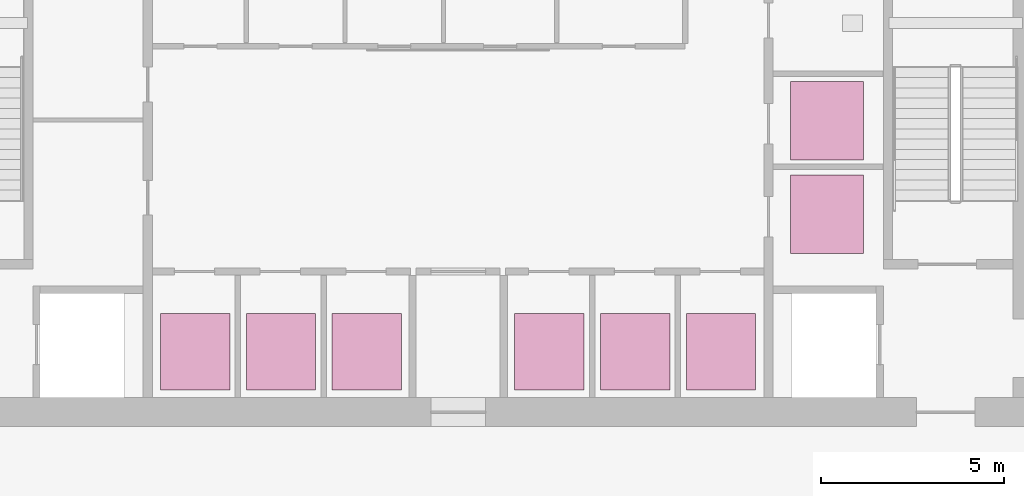
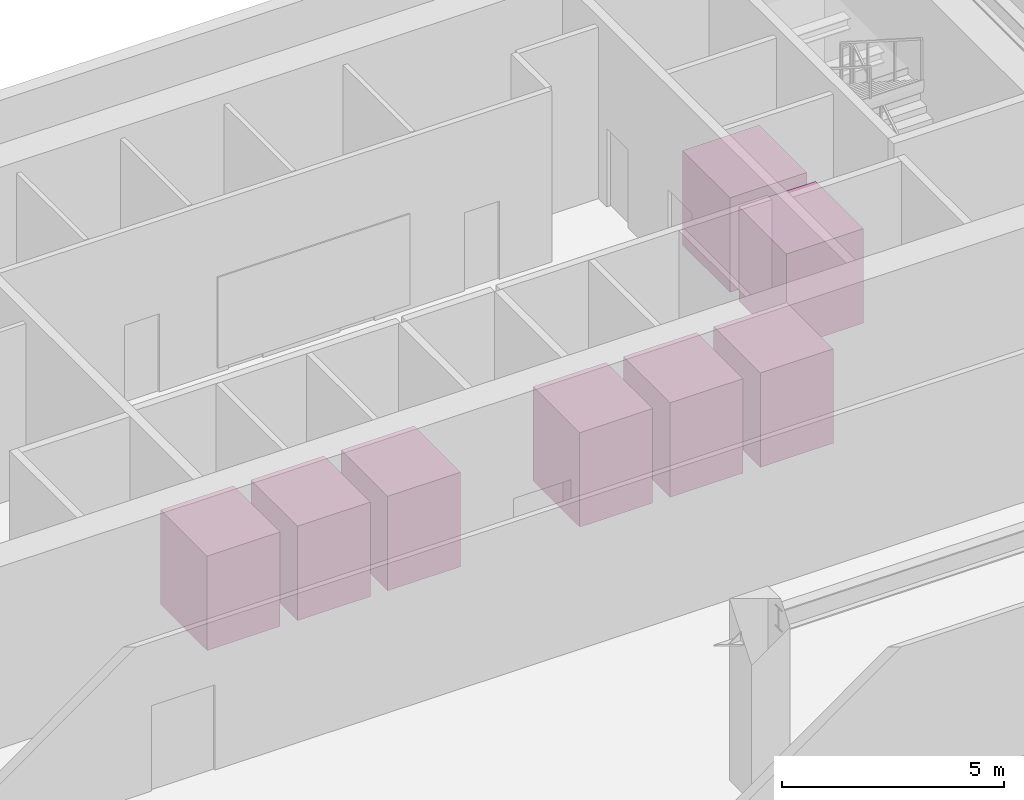
# One storey, part 18 of 18: 8 transport elements.
"""IFC4 building model written with IfcOpenShell, lengths in metres."""

from ifc_helpers import new_model, si_unit, direction, frame, origin, origin_2d, place, context, subcontext, project, spatial, rectangle, extrude, source, transform, mapped, material, type_object, element, save


model = new_model("IFC4")

# Units and contexts
model_context = context("Model", 3, precision=1e-05, world=origin(), true_north=direction((0.0, 1.0)))
body_context = subcontext(model_context, "Body", "Model", "MODEL_VIEW")
ifc_project = project(units=[si_unit("LENGTHUNIT", "METRE"), si_unit("AREAUNIT", "SQUARE_METRE"), si_unit("VOLUMEUNIT", "CUBIC_METRE"), si_unit("PLANEANGLEUNIT", "RADIAN"), si_unit("MASSUNIT", "GRAM", prefix="KILO")], contexts=[model_context])

# Site, building, storey
site_placement = place(None, origin())
site = spatial("IfcSite", under=ifc_project, at=site_placement, CompositionType="ELEMENT")
building_placement = place(site_placement, origin())
building = spatial("IfcBuilding", under=site, at=building_placement, Name="Sumidabori Civic Tower", CompositionType="ELEMENT")
storey_placement = place(building_placement, origin())
storey = spatial("IfcBuildingStorey", under=building, at=storey_placement, Name="L00", CompositionType="ELEMENT", Elevation=0.0)

# Transport elements
ifc_material_1 = material(Name="Stainless Steel Hairline Finish", Category="steel")
transport_element_type_1 = type_object("IfcTransportElementType", Name="LF-PASS-1600", PredefinedType="ELEVATOR", material=ifc_material_1)
shared_shape_1 = source(origin(), body_context, "Body", "SweptSolid", [
    extrude(rectangle(XDim=1.89990234375, YDim=2.10009765625, at=origin_2d()), origin(), (0.0, 0.0, 1.0), 2.60009765625),
])
for number, where, z_axis, x_axis, name in (
    (1, (-7.199951171875, 11.85009765625, 0.0), (0.0, 0.0, 1.0), (1.0, 0.0, 0.0), "Low-Rise Passenger Lift PL-L1"),
    (2, (-4.85009765625, 11.85009765625, 0.0), (0.0, 0.0, 1.0), (1.0, 0.0, 0.0), "Low-Rise Passenger Lift PL-L2"),
    (3, (-2.5, 11.85009765625, 0.0), (0.0, 0.0, 1.0), (1.0, 0.0, 0.0), "Low-Rise Passenger Lift PL-L3"),
    (4, (2.5, 11.85009765625, 0.0), (0.0, 0.0, 1.0), (1.0, 0.0, 0.0), "Mid-Rise Passenger Lift PL-M1"),
    (5, (4.85009765625, 11.85009765625, 0.0), (0.0, 0.0, 1.0), (1.0, 0.0, 0.0), "Mid-Rise Passenger Lift PL-M2"),
    (6, (7.199951171875, 11.85009765625, 0.0), (0.0, 0.0, 1.0), (1.0, 0.0, 0.0), "Mid-Rise Passenger Lift PL-M3"),
):
    element("IfcTransportElement", number, at=place(storey_placement, frame(where, z_axis=z_axis, x_axis=x_axis)), inside=storey, type_object=transport_element_type_1, Name=name, PredefinedType="ELEVATOR", context=body_context, shape_type="MappedRepresentation", body=[
        mapped(shared_shape_1, transform((0.0, 0.0, 0.0), x_axis=(1.0, 0.0, 0.0), y_axis=(0.0, 1.0, 0.0), z_axis=(0.0, 0.0, 1.0), scale=1.0)),
    ])
ifc_material_2 = material(Name="Anodised Bronze Aluminium AW-6063-T6", Category="aluminium")
transport_element_type_2 = type_object("IfcTransportElementType", Name="LF-OBS-1800", PredefinedType="ELEVATOR", material=ifc_material_2)
shared_shape_2 = source(origin(), body_context, "Body", "SweptSolid", [
    extrude(rectangle(XDim=2.0, YDim=2.14990234375, at=origin_2d()), origin(), (0.0, 0.0, 1.0), 2.60009765625),
])
for number, where, z_axis, x_axis, name in (
    (7, (10.10009765625, 15.625, 0.0), (0.0, 0.0, 1.0), (1.0, 0.0, 0.0), "Observation Shuttle Lift OBS-1"),
    (8, (10.10009765625, 18.175048828125, 0.0), (0.0, 0.0, 1.0), (1.0, 0.0, 0.0), "Observation Shuttle Lift OBS-2"),
):
    element("IfcTransportElement", number, at=place(storey_placement, frame(where, z_axis=z_axis, x_axis=x_axis)), inside=storey, type_object=transport_element_type_2, Name=name, PredefinedType="ELEVATOR", context=body_context, shape_type="MappedRepresentation", body=[
        mapped(shared_shape_2, transform((0.0, 0.0, 0.0), x_axis=(1.0, 0.0, 0.0), y_axis=(0.0, 1.0, 0.0), z_axis=(0.0, 0.0, 1.0), scale=1.0)),
    ])

save(model, "model.ifc")
